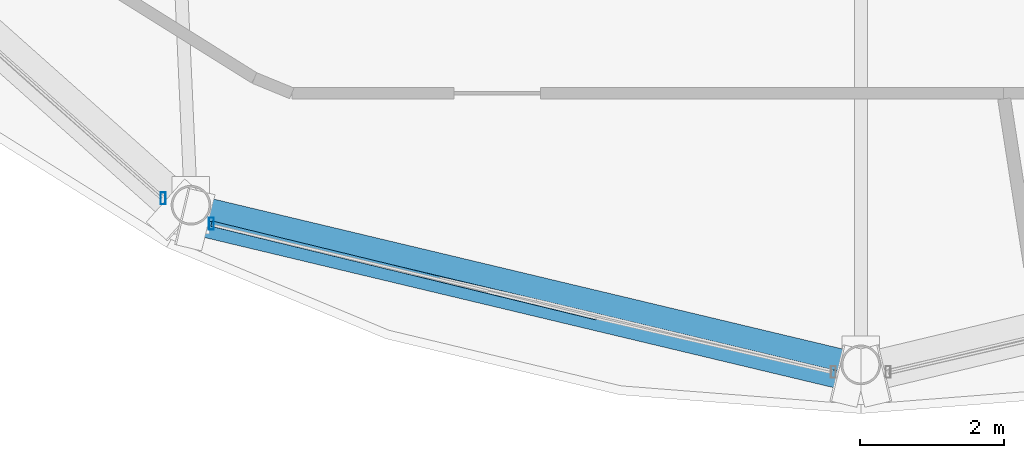
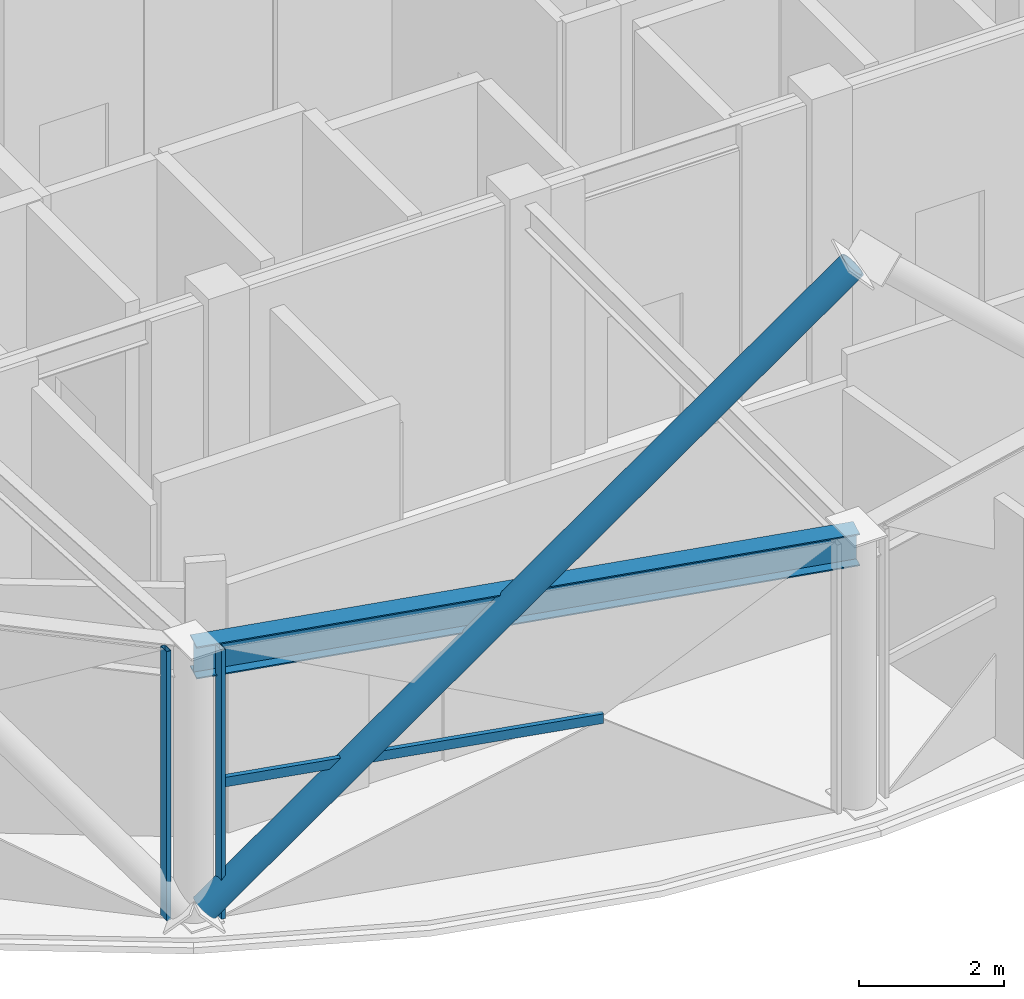
# One storey, part 2 of 27: 4 members, 1 beam, 2 elements without a shape of their own.
"""IFC4 building model written with IfcOpenShell, lengths in metres."""

import ifcopenshell
import ifcopenshell.guid

model = None  # the IFC model being written
_history = None  # IfcOwnerHistory: only IFC2X3 demands one
_inside = {}  # id of a spatial element -> (the spatial element, [elements in it])
_under = {}  # id of a project, library or spatial element -> (it, [spatial elements below it])
_declared = {}  # id of a project -> (the project, [libraries it declares])
_typed = {}  # id of a type object -> (the type object, [elements of that type])
_made_of = {}  # id of a material, layer set ... -> (it, [elements and type objects made of it])


def new_model(schema):
    """Start an empty IFC model of exactly this schema.

    Asked for "IFC4X3", IfcOpenShell would pick the latest addendum, in which some entities
    have other attributes; the version numbers below select the first issue.
    IFC2X3 requires an IfcOwnerHistory on every rooted entity: one is made here for all.
    """
    global model, _history
    if schema == "IFC4X3":
        model = ifcopenshell.file(schema_version=(4, 3, 0, 0))
    else:
        model = ifcopenshell.file(schema=schema)
    _inside.clear()
    _under.clear()
    _declared.clear()
    _typed.clear()
    _made_of.clear()
    _history = None
    if model.schema == "IFC2X3":
        org = make("IfcOrganization", Name="unknown")
        user = make(
            "IfcPersonAndOrganization",
            ThePerson=make("IfcPerson", FamilyName="unknown"),
            TheOrganization=org,
        )
        app = make(
            "IfcApplication",
            ApplicationDeveloper=org,
            Version="unknown",
            ApplicationFullName="unknown",
            ApplicationIdentifier="unknown",
        )
        _history = make(
            "IfcOwnerHistory",
            OwningUser=user,
            OwningApplication=app,
            ChangeAction="ADDED",
            CreationDate=0,
        )
    return model


def make(cls, **values):
    """One entity of the class cls with the attributes given. An attribute that is None is left unset."""
    return model.create_entity(
        cls, **{name: value for name, value in values.items() if value is not None}
    )


def rooted(cls, **values):
    """An entity with a GlobalId (a new one), such as an element, a storey or a relation."""
    return make(cls, GlobalId=ifcopenshell.guid.new(), OwnerHistory=_history, **values)


def si_unit(unit_type, name, prefix=None):
    """IfcSIUnit, for example si_unit("LENGTHUNIT", "METRE", prefix="MILLI")."""
    return make("IfcSIUnit", UnitType=unit_type, Prefix=prefix, Name=name)


def assignment(units):
    """IfcUnitAssignment: the units of a project."""
    return None if units is None else make("IfcUnitAssignment", Units=units)


def point(xyz):
    """IfcCartesianPoint."""
    return None if xyz is None else make("IfcCartesianPoint", Coordinates=xyz)


def direction(xyz):
    """IfcDirection."""
    return None if xyz is None else make("IfcDirection", DirectionRatios=xyz)


def frame(location, z_axis=None, x_axis=None):
    """IfcAxis2Placement3D, a coordinate frame: its origin and axes. An axis left out is left unset."""
    return make(
        "IfcAxis2Placement3D",
        Location=point(location),
        Axis=direction(z_axis),
        RefDirection=direction(x_axis),
    )


def frame_2d(location, x_axis=None):
    """IfcAxis2Placement2D, a coordinate frame in the plane: its origin and x axis."""
    return make(
        "IfcAxis2Placement2D", Location=point(location), RefDirection=direction(x_axis)
    )


def origin():
    """The frame at (0, 0, 0) with its axes left unset."""
    return frame((0.0, 0.0, 0.0))


def origin_2d():
    """The frame at (0, 0) in the plane with its x axis left unset."""
    return frame_2d((0.0, 0.0))


def place(relative_to, where):
    """IfcLocalPlacement: puts the frame where relative to a parent placement (None: the world)."""
    return make(
        "IfcLocalPlacement", PlacementRelTo=relative_to, RelativePlacement=where
    )


def context(
    kind, dimensions, precision=None, world=None, true_north=None, identifier=None
):
    """IfcGeometricRepresentationContext, for example the 3D "Model" context."""
    return make(
        "IfcGeometricRepresentationContext",
        ContextIdentifier=identifier,
        ContextType=kind,
        CoordinateSpaceDimension=dimensions,
        Precision=precision,
        WorldCoordinateSystem=world,
        TrueNorth=true_north,
    )


def subcontext(parent, identifier, kind, view, scale=None):
    """IfcGeometricRepresentationSubContext, for example "Body" below "Model"."""
    return make(
        "IfcGeometricRepresentationSubContext",
        ContextIdentifier=identifier,
        ContextType=kind,
        ParentContext=parent,
        TargetScale=scale,
        TargetView=view,
    )


def project(units=None, contexts=None):
    """IfcProject with its units and contexts."""
    return rooted(
        "IfcProject",
        Name="project",
        RepresentationContexts=contexts,
        UnitsInContext=assignment(units),
    )


def spatial(cls, under=None, at=None, **own):
    """A site, building, storey or space (cls), placed at a placement, below another one or the project."""
    s = rooted(cls, ObjectPlacement=at, **own)
    if under is not None:
        _under.setdefault(under.id(), (under, []))[1].append(s)
    return s


def profile(cls, at=None, kind="AREA", **sizes):
    """A parametric profile (cls). Its sizes go by their IFC names, for example OverallWidth=200.0."""
    return make(cls, ProfileType=kind, Position=at, **sizes)


def hollow_rectangle(**sizes):
    """IfcRectangleHollowProfileDef."""
    return profile("IfcRectangleHollowProfileDef", **sizes)


def hollow_circle(**sizes):
    """IfcCircleHollowProfileDef."""
    return profile("IfcCircleHollowProfileDef", **sizes)


def i_section(**sizes):
    """IfcIShapeProfileDef."""
    return profile("IfcIShapeProfileDef", **sizes)


def extrude(swept, where, along, depth):
    """IfcExtrudedAreaSolid: the profile swept, set in the frame where, extruded along a direction by depth."""
    return make(
        "IfcExtrudedAreaSolid",
        SweptArea=swept,
        Position=where,
        ExtrudedDirection=direction(along),
        Depth=depth,
    )


def shape(context_of_items, identifier, shape_type, items):
    """IfcShapeRepresentation: the items that make up one representation, for example the "Body"."""
    return make(
        "IfcShapeRepresentation",
        ContextOfItems=context_of_items,
        RepresentationIdentifier=identifier,
        RepresentationType=shape_type,
        Items=items,
    )


def material(Name=None, Category=None):
    """IfcMaterial."""
    return make("IfcMaterial", Name=Name, Category=Category)


def layer(
    of_material, thickness, ventilated=None, Name=None, Category=None, Priority=None
):
    """IfcMaterialLayer: one layer of a wall or slab, of a material (None: an air gap)."""
    return make(
        "IfcMaterialLayer",
        Material=of_material,
        LayerThickness=thickness,
        IsVentilated=ventilated,
        Name=Name,
        Category=Category,
        Priority=Priority,
    )


def layer_set(layers, Name=None):
    """IfcMaterialLayerSet."""
    return make("IfcMaterialLayerSet", MaterialLayers=layers, LayerSetName=Name)


def material_profile(
    of_material, cross_section, Name=None, Category=None, Priority=None
):
    """IfcMaterialProfile: a cross section and its material."""
    return make(
        "IfcMaterialProfile",
        Name=Name,
        Material=of_material,
        Profile=cross_section,
        Priority=Priority,
        Category=Category,
    )


def profile_set(profiles, Name=None, composite=None):
    """IfcMaterialProfileSet."""
    return make(
        "IfcMaterialProfileSet",
        Name=Name,
        MaterialProfiles=profiles,
        CompositeProfile=composite,
    )


def made_of(thing, what):
    """Note that an element or type object is made of a material, layer set ...; save() writes the relation."""
    if what is not None:
        _made_of.setdefault(what.id(), (what, []))[1].append(thing)
    return thing


def type_object(cls, material=None, **own):
    """A type object (cls), such as IfcWallType, which elements share."""
    return made_of(rooted(cls, **own), material)


def element(
    cls,
    number,
    at=None,
    inside=None,
    cuts=None,
    type_object=None,
    material=None,
    context=None,
    identifier="Body",
    shape_type=None,
    held_by="IfcProductDefinitionShape",
    body=None,
    shapes=None,
    **own,
):
    """One element of the class cls, such as IfcWall. Its Tag is "e" and its number.

    at: its placement. inside: the storey or other place that contains it. cuts: it is an
    opening in that element (IfcRelVoidsElement). A single representation is given by context,
    identifier, shape_type and body (its items); several are given by shapes. held_by: the class
    of the entity that holds the representations. save() writes the other relations.
    """
    e = rooted(cls, Tag="e%d" % number, ObjectPlacement=at, **own)
    if body is not None:
        shapes = [shape(context, identifier, shape_type, body)]
    if shapes is not None:
        e.Representation = make(held_by, Representations=shapes)
    if inside is not None:
        _inside.setdefault(inside.id(), (inside, []))[1].append(e)
    if cuts is not None:
        rooted(
            "IfcRelVoidsElement", RelatingBuildingElement=cuts, RelatedOpeningElement=e
        )
    if type_object is not None:
        _typed.setdefault(type_object.id(), (type_object, []))[1].append(e)
    return made_of(e, material)


def aggregate(whole, parts):
    """IfcRelAggregates: a whole, such as a stair, and the parts it consists of."""
    return rooted("IfcRelAggregates", RelatingObject=whole, RelatedObjects=parts)


def save(model, path):
    """Write the relations noted so far, then the file.

    IfcRelAggregates (storeys below a building ...), IfcRelContainedInSpatialStructure (elements
    in a storey), IfcRelDefinesByType, IfcRelAssociatesMaterial and IfcRelDeclares: one each for
    every whole, place, type object, material and project.
    """
    for whole, parts in _under.values():
        aggregate(whole, parts)
    for where, things in _inside.values():
        rooted(
            "IfcRelContainedInSpatialStructure",
            RelatedElements=things,
            RelatingStructure=where,
        )
    for kind, things in _typed.values():
        rooted("IfcRelDefinesByType", RelatedObjects=things, RelatingType=kind)
    for what, things in _made_of.values():
        rooted("IfcRelAssociatesMaterial", RelatedObjects=things, RelatingMaterial=what)
    for by, libraries in _declared.values():
        rooted("IfcRelDeclares", RelatingContext=by, RelatedDefinitions=libraries)
    model.write(path)


model = new_model("IFC4")

# Units and contexts
model_context = context("Model", 3, precision=1e-05, world=origin(), true_north=direction((0.0, 1.0)))
body_context = subcontext(model_context, "Body", "Model", "MODEL_VIEW")
ifc_project = project(units=[si_unit("LENGTHUNIT", "METRE"), si_unit("AREAUNIT", "SQUARE_METRE"), si_unit("VOLUMEUNIT", "CUBIC_METRE"), si_unit("PLANEANGLEUNIT", "RADIAN"), si_unit("MASSUNIT", "GRAM", prefix="KILO")], contexts=[model_context])

# Site, building, storey
site_placement = place(None, origin())
site = spatial("IfcSite", under=ifc_project, at=site_placement, CompositionType="ELEMENT")
building_placement = place(site_placement, origin())
building = spatial("IfcBuilding", under=site, at=building_placement, Name="Vantalir Tower", CompositionType="ELEMENT")
storey_placement = place(building_placement, frame((0.0, 0.0, 290.10009765625)))
storey = spatial("IfcBuildingStorey", under=building, at=storey_placement, Name="L73", CompositionType="ELEMENT", Elevation=290.10009765625)

# Beam
ifc_material_1 = material(Name="Steel S460", Category="steel")
ifc_material_profile_1 = material_profile(ifc_material_1, i_section(OverallWidth=0.31201171875, OverallDepth=0.5419921875, WebThickness=0.0126953125, FlangeThickness=0.020263671875, at=origin_2d()), Name="Steel S460")
ifc_profile_set_1 = profile_set([ifc_material_profile_1], Name="Steel S460")
beam_type = type_object("IfcBeamType", Name="BM-RG-533x312", PredefinedType="USERDEFINED", material=ifc_profile_set_1)
beam_placement = place(storey_placement, frame((22.219970703125, 10.699951171875, 4.348876953125), z_axis=(0.972749896139, -0.231856937703, 0.0), x_axis=(0.231856937703, 0.972749896139, 0.0)))
element("IfcBeam", 1, at=beam_placement, inside=storey, type_object=beam_type, Name="L73 Circumferential Ring Girder 09", ObjectType="GIRDER", PredefinedType="USERDEFINED", context=body_context, shape_type="SweptSolid", body=[
    extrude(i_section(OverallWidth=0.31201171875, OverallDepth=0.5419921875, WebThickness=0.0126953125, FlangeThickness=0.020263671875, at=origin_2d()), origin(), (0.0, 0.0, 1.0), 9.5400390625),
])

# Curtain wall, member
ifc_material_2 = material(Name="Champagne-silver PVDF aluminium and double-silver Low-E glass", Category="aluminium")
ifc_layer = layer(ifc_material_2, 0.219970703125)
ifc_layer_set = layer_set([ifc_layer], Name="Champagne-silver PVDF aluminium and double-silver Low-E glass")
curtain_wall_type = type_object("IfcCurtainWallType", Name="CW-DIAMOND-Z4", PredefinedType="USERDEFINED", material=ifc_layer_set)
curtain_wall_1_placement = place(storey_placement, origin())
curtain_wall_1 = element("IfcCurtainWall", 2, at=curtain_wall_1_placement, inside=storey, type_object=curtain_wall_type, Name="L73 Quilted Pyramid-Diamond Curtain Wall S08", ObjectType="UNITISED CURTAIN WALL", PredefinedType="USERDEFINED")
ifc_material_3 = material(Name="Champagne-silver PVDF aluminium 6063-T6", Category="aluminium")
ifc_material_profile_2 = material_profile(ifc_material_3, hollow_rectangle(XDim=0.070068359375, YDim=0.1650390625, WallThickness=0.00390625, at=origin_2d()), Name="Champagne-silver PVDF aluminium 6063-T6")
ifc_profile_set_2 = profile_set([ifc_material_profile_2], Name="Champagne-silver PVDF aluminium 6063-T6")
member_type_1 = type_object("IfcMemberType", Name="CWM-165x70", PredefinedType="MULLION", material=ifc_profile_set_2)
member_1_placement = place(storey_placement, frame((21.833984375, 10.794921875, 0.044921875), z_axis=(0.0, 0.0, 1.0), x_axis=(1.0, 0.0, 0.0)))
member_1 = element("IfcMember", 3, at=member_1_placement, type_object=member_type_1, Name="CW-L73-S08 Mullion 2", PredefinedType="MULLION", context=body_context, shape_type="SweptSolid", body=[
    extrude(hollow_rectangle(XDim=0.070068359375, YDim=0.1650390625, WallThickness=0.00390625, at=origin_2d()), origin(), (0.0, 0.0, 1.0), 4.530029296875),
])
aggregate(curtain_wall_1, [member_1])

# Curtain wall, members
curtain_wall_2_placement = place(storey_placement, origin())
curtain_wall_2 = element("IfcCurtainWall", 4, at=curtain_wall_2_placement, inside=storey, type_object=curtain_wall_type, Name="L73 Quilted Pyramid-Diamond Curtain Wall S09", ObjectType="UNITISED CURTAIN WALL", PredefinedType="USERDEFINED")
member_2_placement = place(storey_placement, frame((22.50390625, 10.445068359375, 0.044921875), z_axis=(0.0, 0.0, 1.0), x_axis=(1.0, 0.0, 0.0)))
member_2 = element("IfcMember", 5, at=member_2_placement, type_object=member_type_1, Name="CW-L73-S09 Mullion 1", PredefinedType="MULLION", context=body_context, shape_type="SweptSolid", body=[
    extrude(hollow_rectangle(XDim=0.070068359375, YDim=0.1650390625, WallThickness=0.00390625, at=origin_2d()), origin(), (0.0, 0.0, 1.0), 4.530029296875),
])
ifc_material_profile_3 = material_profile(ifc_material_3, hollow_rectangle(XDim=0.074951171875, YDim=0.159912109375, WallThickness=0.00390625, at=origin_2d()), Name="Champagne-silver PVDF aluminium 6063-T6")
ifc_profile_set_3 = profile_set([ifc_material_profile_3], Name="Champagne-silver PVDF aluminium 6063-T6")
member_type_2 = type_object("IfcMemberType", Name="CWT-160x75", PredefinedType="USERDEFINED", material=ifc_profile_set_3)
member_3_placement = place(storey_placement, frame((22.50390625, 10.445068359375, 2.309814453125), z_axis=(0.971673120554, -0.236328895384, 0.0), x_axis=(0.236328895384, 0.971673120554, 0.0)))
member_3 = element("IfcMember", 6, at=member_3_placement, type_object=member_type_2, Name="CW-L73-S09 Pyramid Fold Ridge Transom", ObjectType="TRANSOM", PredefinedType="USERDEFINED", context=body_context, shape_type="SweptSolid", body=[
    extrude(hollow_rectangle(XDim=0.074951171875, YDim=0.159912109375, WallThickness=0.00390625, at=origin_2d()), origin(), (0.0, 0.0, 1.0), 5.49267578125),
])
aggregate(curtain_wall_2, [member_2, member_3])

# Member
ifc_material_profile_4 = material_profile(ifc_material_1, hollow_circle(Radius=0.2099609375, WallThickness=0.02490234375, at=origin_2d()), Name="Steel S460")
ifc_profile_set_4 = profile_set([ifc_material_profile_4], Name="Steel S460")
member_type_3 = type_object("IfcMemberType", Name="MEM-DB-420x25", PredefinedType="BRACE", material=ifc_profile_set_4)
member_4_placement = place(storey_placement, frame((22.279052734375, 10.4990234375, 0.23193359375), z_axis=(0.701401813214, -0.167408736936, 0.692827403628), x_axis=(0.232156338212, 0.972678484715, 0.0)))
element("IfcMember", 7, at=member_4_placement, inside=storey, type_object=member_type_3, Name="L73 Perimeter S460 Diagrid Brace R25L", PredefinedType="BRACE", context=body_context, shape_type="SweptSolid", body=[
    extrude(hollow_circle(Radius=0.2099609375, WallThickness=0.02490234375, at=origin_2d()), origin(), (0.0, 0.0, 1.0), 12.9267578125),
])

save(model, "model.ifc")
